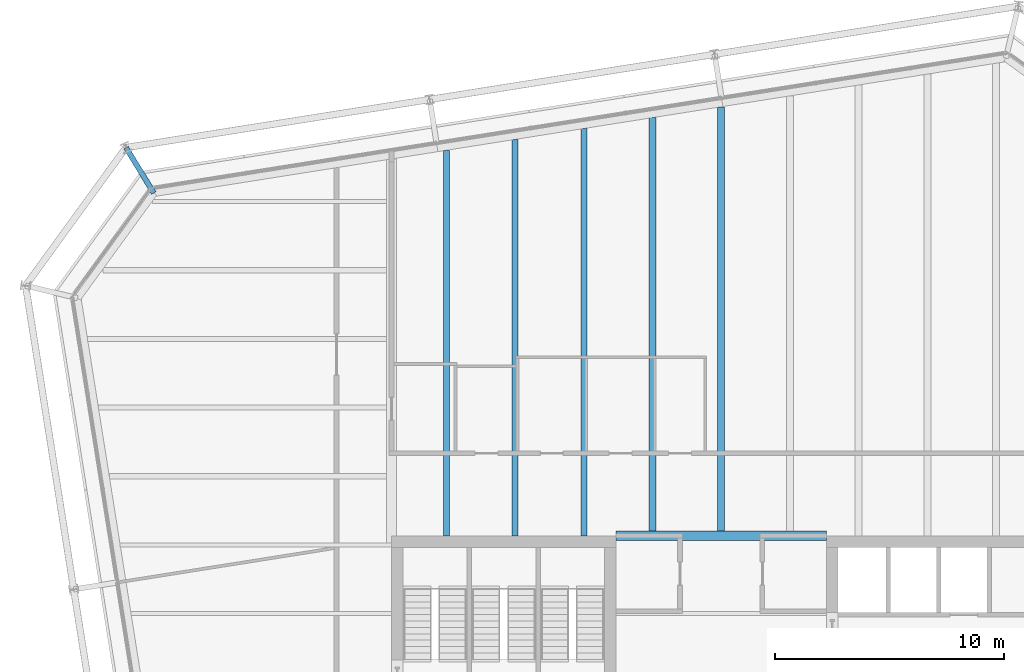
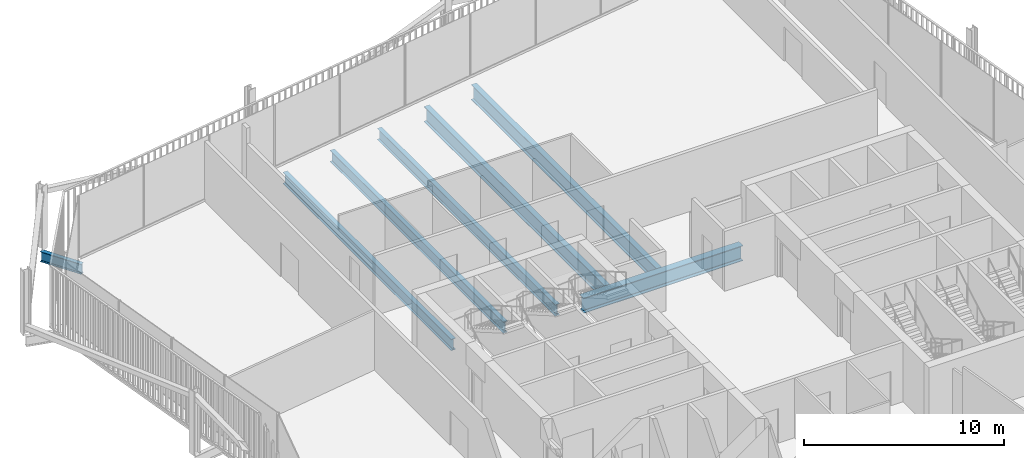
# One storey, part 12 of 21: 7 beams.
"""IFC4 building model written with IfcOpenShell, lengths in metres."""

from ifc_helpers import new_model, si_unit, direction, frame, origin, origin_2d, place, context, subcontext, project, spatial, i_section, extrude, material, material_profile, profile_set, type_object, element, save


model = new_model("IFC4")

# Units and contexts
model_context = context("Model", 3, precision=1e-05, world=origin(), true_north=direction((0.0, 1.0)))
body_context = subcontext(model_context, "Body", "Model", "MODEL_VIEW")
ifc_project = project(units=[si_unit("LENGTHUNIT", "METRE"), si_unit("AREAUNIT", "SQUARE_METRE"), si_unit("VOLUMEUNIT", "CUBIC_METRE"), si_unit("PLANEANGLEUNIT", "RADIAN"), si_unit("MASSUNIT", "GRAM", prefix="KILO")], contexts=[model_context])

# Site, building, storey
site_placement = place(None, origin())
site = spatial("IfcSite", under=ifc_project, at=site_placement, CompositionType="ELEMENT")
building_placement = place(site_placement, origin())
building = spatial("IfcBuilding", under=site, at=building_placement, Name="Millrace Tower", CompositionType="ELEMENT")
storey_placement = place(building_placement, frame((0.0, 0.0, 263.0)))
storey = spatial("IfcBuildingStorey", under=building, at=storey_placement, Name="L60", CompositionType="ELEMENT", Elevation=263.0)

# Beams
ifc_material_1 = material(Name="Steel ASTM A992 Grade 50", Category="steel")
ifc_material_profile_1 = material_profile(ifc_material_1, i_section(OverallWidth=0.256591796875, OverallDepth=0.693359375, WebThickness=0.014404296875, FlangeThickness=0.023681640625, FilletRadius=0.01513671875, at=origin_2d()))
ifc_profile_set_1 = profile_set([ifc_material_profile_1], Name="Steel ASTM A992 Grade 50")
beam_type_1 = type_object("IfcBeamType", Name="Floor beam W27x114", PredefinedType="JOIST", material=ifc_profile_set_1)
beam_1_placement = place(storey_placement, frame((-12.0, 9.39990234375, -0.506591796875), z_axis=(0.0, 1.0, 0.0), x_axis=(-1.0, 0.0, 0.0)))
element("IfcBeam", 1, at=beam_1_placement, inside=storey, type_object=beam_type_1, Name="BM-D-L60-S1-S036", PredefinedType="JOIST", context=body_context, shape_type="SweptSolid", body=[
    extrude(i_section(OverallWidth=0.256591796875, OverallDepth=0.693359375, WebThickness=0.014404296875, FlangeThickness=0.023681640625, FilletRadius=0.01513671875, at=origin_2d()), origin(), (0.0, 0.0, 1.0), 16.8369140625),
])
beam_2_placement = place(storey_placement, frame((-9.0, 9.39990234375, -0.506591796875), z_axis=(0.0, 1.0, 0.0), x_axis=(-1.0, 0.0, 0.0)))
element("IfcBeam", 2, at=beam_2_placement, inside=storey, type_object=beam_type_1, Name="BM-D-L60-S1-S038", PredefinedType="JOIST", context=body_context, shape_type="SweptSolid", body=[
    extrude(i_section(OverallWidth=0.256591796875, OverallDepth=0.693359375, WebThickness=0.014404296875, FlangeThickness=0.023681640625, FilletRadius=0.01513671875, at=origin_2d()), origin(), (0.0, 0.0, 1.0), 17.31201171875),
])
beam_3_placement = place(storey_placement, frame((-6.0, 9.39990234375, -0.506591796875), z_axis=(0.0, 1.0, 0.0), x_axis=(-1.0, 0.0, 0.0)))
element("IfcBeam", 3, at=beam_3_placement, inside=storey, type_object=beam_type_1, Name="BM-D-L60-S1-S040", PredefinedType="JOIST", context=body_context, shape_type="SweptSolid", body=[
    extrude(i_section(OverallWidth=0.256591796875, OverallDepth=0.693359375, WebThickness=0.014404296875, FlangeThickness=0.023681640625, FilletRadius=0.01513671875, at=origin_2d()), origin(), (0.0, 0.0, 1.0), 17.787109375),
])
ifc_material_2 = material(Name="Steel ASTM A992 Grade 50", Category="steel")
ifc_material_profile_2 = material_profile(ifc_material_2, i_section(OverallWidth=0.307373046875, OverallDepth=0.927001953125, WebThickness=0.01953125, FlangeThickness=0.031982421875, FilletRadius=0.01904296875, at=origin_2d()))
ifc_profile_set_2 = profile_set([ifc_material_profile_2], Name="Steel ASTM A992 Grade 50")
beam_type_2 = type_object("IfcBeamType", Name="Floor beam W36x194", PredefinedType="JOIST", material=ifc_profile_set_2)
beam_4_placement = place(storey_placement, frame((-3.0, 9.609619140625, -0.62353515625), z_axis=(0.0, 1.0, 0.0), x_axis=(-1.0, 0.0, 0.0)))
element("IfcBeam", 4, at=beam_4_placement, inside=storey, type_object=beam_type_2, Name="BM-D-L60-S1-S042", PredefinedType="JOIST", context=body_context, shape_type="SweptSolid", body=[
    extrude(i_section(OverallWidth=0.307373046875, OverallDepth=0.927001953125, WebThickness=0.01953125, FlangeThickness=0.031982421875, FilletRadius=0.01904296875, at=origin_2d()), origin(), (0.0, 0.0, 1.0), 18.052490234375),
])
beam_5_placement = place(storey_placement, frame((0.0, 9.609619140625, -0.62353515625), z_axis=(0.0, 1.0, 0.0), x_axis=(-1.0, 0.0, 0.0)))
element("IfcBeam", 5, at=beam_5_placement, inside=storey, type_object=beam_type_2, Name="BM-D-L60-S1-S044", PredefinedType="JOIST", context=body_context, shape_type="SweptSolid", body=[
    extrude(i_section(OverallWidth=0.307373046875, OverallDepth=0.927001953125, WebThickness=0.01953125, FlangeThickness=0.031982421875, FilletRadius=0.01904296875, at=origin_2d()), origin(), (0.0, 0.0, 1.0), 18.527587890625),
])
ifc_material_3 = material(Name="Steel ASTM A992 Grade 50", Category="steel")
ifc_material_profile_3 = material_profile(ifc_material_3, i_section(OverallWidth=0.419189453125, OverallDepth=0.927001953125, WebThickness=0.019287109375, FlangeThickness=0.031982421875, FilletRadius=0.024169921875, at=origin_2d()))
ifc_profile_set_3 = profile_set([ifc_material_profile_3], Name="Steel ASTM A992 Grade 50")
beam_type_3 = type_object("IfcBeamType", Name="Girder short span W36x231", PredefinedType="BEAM", material=ifc_profile_set_3)
beam_6_placement = place(storey_placement, frame((-4.60009765625, 9.39990234375, -0.62353515625), z_axis=(1.0, 0.0, 0.0), x_axis=(0.0, 1.0, 0.0)))
element("IfcBeam", 6, at=beam_6_placement, inside=storey, type_object=beam_type_3, Name="BM-D-L60-S1-G058", PredefinedType="BEAM", context=body_context, shape_type="SweptSolid", body=[
    extrude(i_section(OverallWidth=0.419189453125, OverallDepth=0.927001953125, WebThickness=0.019287109375, FlangeThickness=0.031982421875, FilletRadius=0.024169921875, at=origin_2d()), origin(), (0.0, 0.0, 1.0), 9.2001953125),
])
ifc_material_4 = material(Name="Steel ASTM A992 Grade 50", Category="steel")
ifc_material_profile_4 = material_profile(ifc_material_4, i_section(OverallWidth=0.23046875, OverallDepth=0.6171875, WebThickness=0.01318359375, FlangeThickness=0.022216796875, FilletRadius=0.012939453125, at=origin_2d()))
ifc_profile_set_4 = profile_set([ifc_material_profile_4], Name="Steel ASTM A992 Grade 50")
beam_type_4 = type_object("IfcBeamType", Name="Link beam W24x94", PredefinedType="BEAM", material=ifc_profile_set_4)
beam_7_placement = place(storey_placement, frame((-24.7783203125, 24.368408203125, -0.468505859375), z_axis=(-0.522512938711, 0.852631355792, 0.0), x_axis=(-0.852631355792, -0.522512938711, 0.0)))
element("IfcBeam", 7, at=beam_7_placement, inside=storey, type_object=beam_type_4, Name="LNK-D-L60-S1-05", PredefinedType="BEAM", context=body_context, shape_type="SweptSolid", body=[
    extrude(i_section(OverallWidth=0.23046875, OverallDepth=0.6171875, WebThickness=0.01318359375, FlangeThickness=0.022216796875, FilletRadius=0.012939453125, at=origin_2d()), origin(), (0.0, 0.0, 1.0), 2.3310546875),
])

save(model, "model.ifc")
